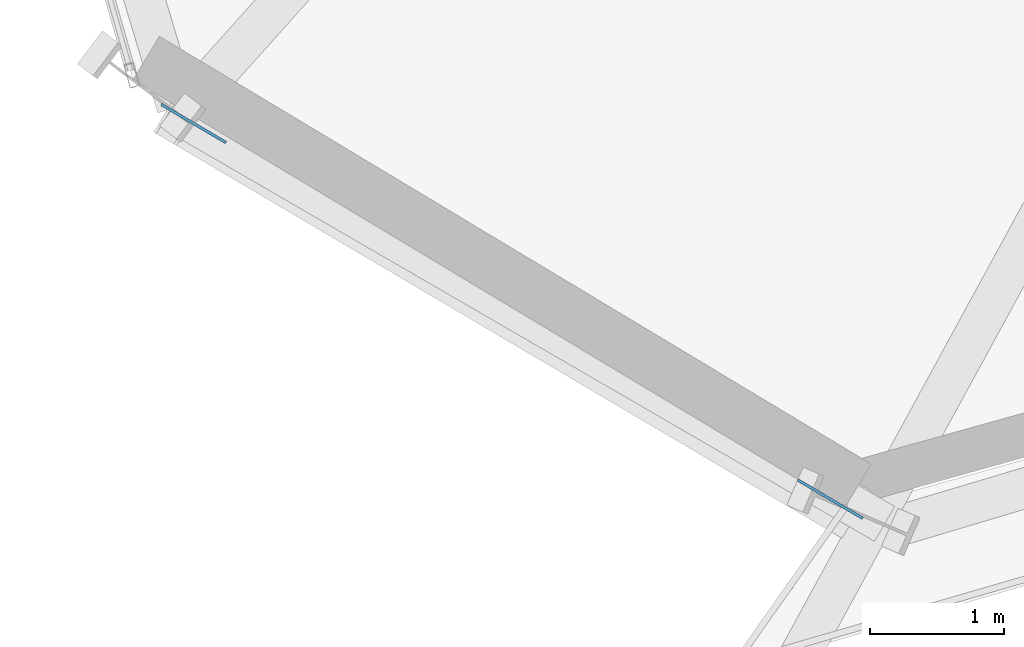
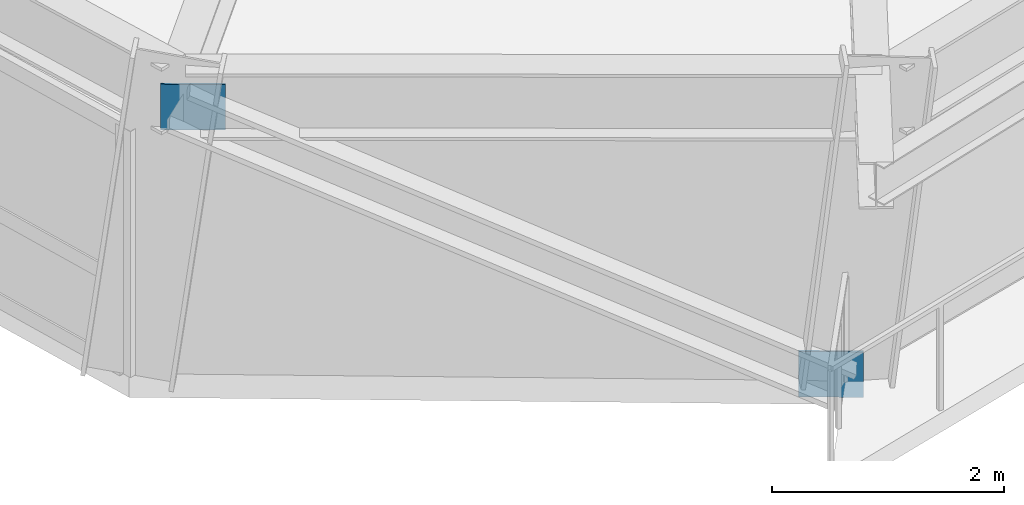
# One storey, part 12 of 21: 2 plates.
"""IFC4 building model written with IfcOpenShell, lengths in metres."""

from ifc_helpers import new_model, si_unit, direction, frame, origin, origin_2d, place, context, subcontext, project, spatial, rectangle, extrude, source, transform, mapped, material, type_object, element, save


model = new_model("IFC4")

# Units and contexts
model_context = context("Model", 3, precision=1e-05, world=origin(), true_north=direction((0.0, 1.0)))
body_context = subcontext(model_context, "Body", "Model", "MODEL_VIEW")
ifc_project = project(units=[si_unit("LENGTHUNIT", "METRE"), si_unit("AREAUNIT", "SQUARE_METRE"), si_unit("VOLUMEUNIT", "CUBIC_METRE"), si_unit("PLANEANGLEUNIT", "RADIAN"), si_unit("MASSUNIT", "GRAM", prefix="KILO")], contexts=[model_context])

# Site, building, storey
site_placement = place(None, origin())
site = spatial("IfcSite", under=ifc_project, at=site_placement, CompositionType="ELEMENT")
building_placement = place(site_placement, origin())
building = spatial("IfcBuilding", under=site, at=building_placement, Name="Olszyna Solenne Hotel", CompositionType="ELEMENT")
storey_placement = place(building_placement, frame((0.0, 0.0, 47.050048828125)))
storey = spatial("IfcBuildingStorey", under=building, at=storey_placement, Name="L11", CompositionType="ELEMENT", Elevation=47.050048828125)

# Plates
ifc_material = material(Name="Steel S355J2", Category="steel")
plate_type = type_object("IfcPlateType", Name="GP-ND2", PredefinedType="USERDEFINED", material=ifc_material)
shared_shape = source(origin(), body_context, "Body", "SweptSolid", [
    extrude(rectangle(XDim=0.56005859375, YDim=0.02001953125, at=origin_2d()), origin(), (0.0, 0.0, 1.0), 0.47998046875),
])
for number, where, z_axis, x_axis, name in (
    (1, (25.652587890625, 4.527587890625, -0.1669921875), (0.0, 0.0, 1.0), (-0.861274621876, 0.508139769859, 0.0), "Brace end connection gusset plate GP-ND2 EP-BR-L11-3-1"),
    (2, (20.9111328125, 7.3251953125, 2.61181640625), (0.0, 0.0, 1.0), (-0.861274621876, 0.508139769859, 0.0), "Brace end connection gusset plate GP-ND2 EP-BR-L11-3-2"),
):
    element("IfcPlate", number, at=place(storey_placement, frame(where, z_axis=z_axis, x_axis=x_axis)), inside=storey, type_object=plate_type, Name=name, ObjectType="GUSSET_PLATE", PredefinedType="USERDEFINED", context=body_context, shape_type="MappedRepresentation", body=[
        mapped(shared_shape, transform((0.0, 0.0, 0.0), x_axis=(1.0, 0.0, 0.0), y_axis=(0.0, 1.0, 0.0), z_axis=(0.0, 0.0, 1.0), scale=1.0)),
    ])

save(model, "model.ifc")
